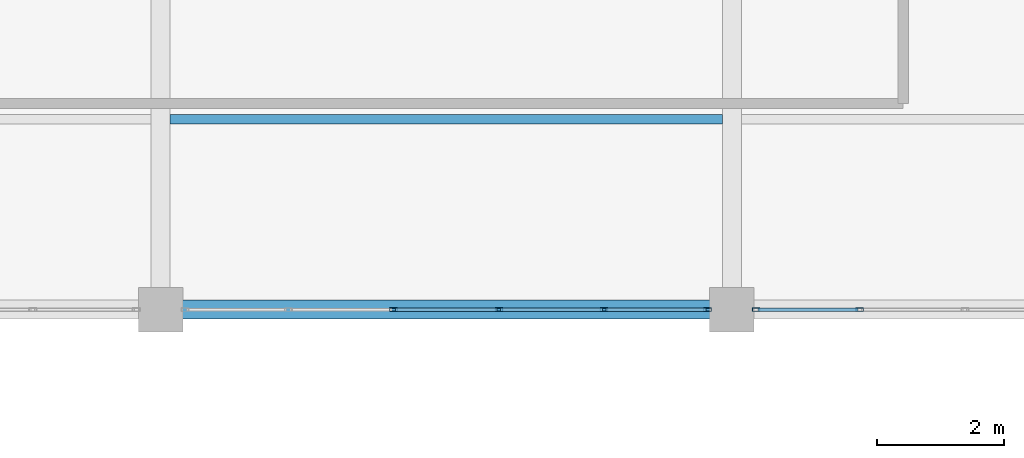
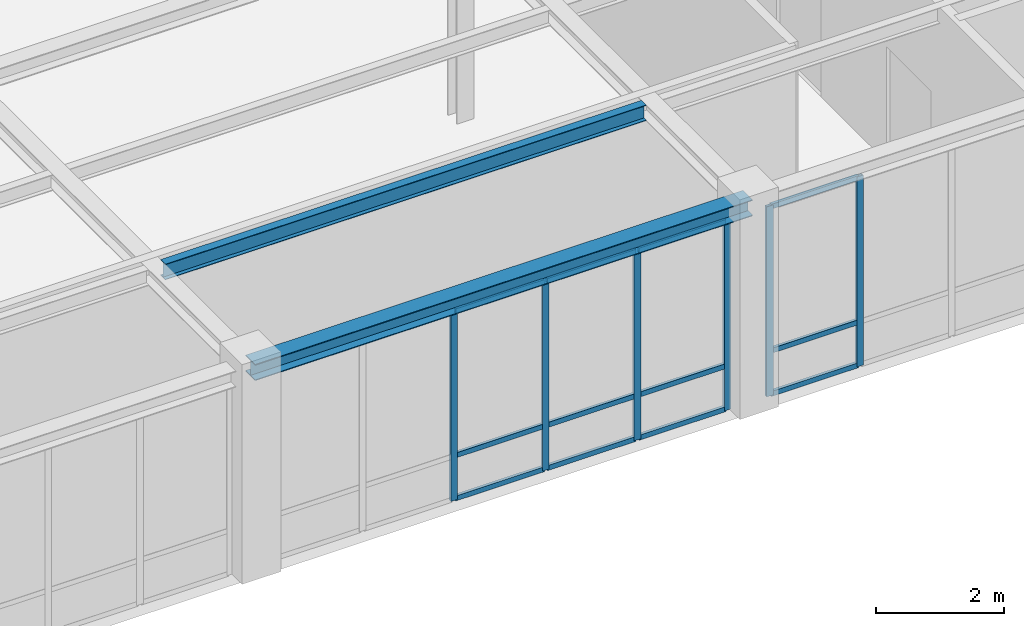
# One storey, part 69 of 108: 18 members, 2 beams, 2 elements without a shape of their own.
"""IFC4 building model written with IfcOpenShell, lengths in metres."""

from ifc_helpers import new_model, si_unit, direction, frame, origin, origin_2d, place, context, subcontext, project, spatial, hollow_rectangle, i_section, extrude, material, material_profile, profile_set, type_object, element, aggregate, save


model = new_model("IFC4")

# Units and contexts
model_context = context("Model", 3, precision=1e-05, world=origin(), true_north=direction((0.0, 1.0)))
body_context = subcontext(model_context, "Body", "Model", "MODEL_VIEW")
ifc_project = project(units=[si_unit("LENGTHUNIT", "METRE"), si_unit("AREAUNIT", "SQUARE_METRE"), si_unit("VOLUMEUNIT", "CUBIC_METRE"), si_unit("PLANEANGLEUNIT", "RADIAN"), si_unit("MASSUNIT", "GRAM", prefix="KILO")], contexts=[model_context])

# Site, building, storey
site_placement = place(None, origin())
site = spatial("IfcSite", under=ifc_project, at=site_placement, CompositionType="ELEMENT")
building_placement = place(site_placement, origin())
building = spatial("IfcBuilding", under=site, at=building_placement, Name="Lykobir Media Centre", CompositionType="ELEMENT")
storey_placement = place(building_placement, frame((0.0, 0.0, 15.0)))
storey = spatial("IfcBuildingStorey", under=building, at=storey_placement, Name="L03", CompositionType="ELEMENT", Elevation=15.0)

# Curtain wall, members
ifc_material_1 = material(Name="Anodized Aluminium AW-6060", Category="aluminium")
curtain_wall_type = type_object("IfcCurtainWallType", Name="CW-COURT-B", PredefinedType="NOTDEFINED", material=ifc_material_1)
curtain_wall_1_placement = place(storey_placement, origin())
curtain_wall_1 = element("IfcCurtainWall", 1, at=curtain_wall_1_placement, inside=storey, type_object=curtain_wall_type, Name="Curtain wall CW2-L03-0147", PredefinedType="NOTDEFINED")
ifc_material_profile_1 = material_profile(ifc_material_1, hollow_rectangle(XDim=0.054931640625, YDim=0.1201171875, WallThickness=0.003173828125, at=origin_2d()), Name="ALU MULLION 55x120")
ifc_profile_set_1 = profile_set([ifc_material_profile_1], Name="Anodized Aluminium AW-6060")
member_type_1 = type_object("IfcMemberType", Name="CWM-120", PredefinedType="MULLION", material=ifc_profile_set_1)
member_1_placement = place(storey_placement, frame((116.617431640625, 72.0, 0.0), z_axis=(0.0, 0.0, 1.0), x_axis=(0.0, -1.0, 0.0)))
member_1 = element("IfcMember", 2, at=member_1_placement, type_object=member_type_1, Name="CW2-L03-0147 mullion 1", PredefinedType="MULLION", context=body_context, shape_type="SweptSolid", body=[
    extrude(hollow_rectangle(XDim=0.054931640625, YDim=0.1201171875, WallThickness=0.003173828125, at=origin_2d()), origin(), (0.0, 0.0, 1.0), 3.635009765625),
])
member_2_placement = place(storey_placement, frame((114.987060546875, 72.0, 0.0), z_axis=(0.0, 0.0, 1.0), x_axis=(0.0, -1.0, 0.0)))
member_2 = element("IfcMember", 3, at=member_2_placement, type_object=member_type_1, Name="CW2-L03-0147 mullion 2", PredefinedType="MULLION", context=body_context, shape_type="SweptSolid", body=[
    extrude(hollow_rectangle(XDim=0.054931640625, YDim=0.1201171875, WallThickness=0.003173828125, at=origin_2d()), origin(), (0.0, 0.0, 1.0), 3.635009765625),
])
member_3_placement = place(storey_placement, frame((113.3291015625, 72.0, 0.0), z_axis=(0.0, 0.0, 1.0), x_axis=(0.0, -1.0, 0.0)))
member_3 = element("IfcMember", 4, at=member_3_placement, type_object=member_type_1, Name="CW2-L03-0147 mullion 3", PredefinedType="MULLION", context=body_context, shape_type="SweptSolid", body=[
    extrude(hollow_rectangle(XDim=0.054931640625, YDim=0.1201171875, WallThickness=0.003173828125, at=origin_2d()), origin(), (0.0, 0.0, 1.0), 3.635009765625),
])
member_4_placement = place(storey_placement, frame((111.6708984375, 72.0, 0.0), z_axis=(0.0, 0.0, 1.0), x_axis=(0.0, -1.0, 0.0)))
member_4 = element("IfcMember", 5, at=member_4_placement, type_object=member_type_1, Name="CW2-L03-0147 mullion 4", PredefinedType="MULLION", context=body_context, shape_type="SweptSolid", body=[
    extrude(hollow_rectangle(XDim=0.054931640625, YDim=0.1201171875, WallThickness=0.003173828125, at=origin_2d()), origin(), (0.0, 0.0, 1.0), 3.635009765625),
])

curtain_wall_2_placement = place(storey_placement, origin())
curtain_wall_2 = element("IfcCurtainWall", 6, at=curtain_wall_2_placement, inside=storey, type_object=curtain_wall_type, Name="Curtain wall CW2-L03-0148", PredefinedType="NOTDEFINED")
member_5_placement = place(storey_placement, frame((119.012939453125, 72.0, 0.0), z_axis=(0.0, 0.0, 1.0), x_axis=(0.0, -1.0, 0.0)))
member_5 = element("IfcMember", 7, at=member_5_placement, type_object=member_type_1, Name="CW2-L03-0148 mullion 5", PredefinedType="MULLION", context=body_context, shape_type="SweptSolid", body=[
    extrude(hollow_rectangle(XDim=0.054931640625, YDim=0.1201171875, WallThickness=0.003173828125, at=origin_2d()), origin(), (0.0, 0.0, 1.0), 3.635009765625),
])
member_6_placement = place(storey_placement, frame((117.382568359375, 72.0, 0.0), z_axis=(0.0, 0.0, 1.0), x_axis=(0.0, -1.0, 0.0)))
member_6 = element("IfcMember", 8, at=member_6_placement, type_object=member_type_1, Name="CW2-L03-0148 mullion 6", PredefinedType="MULLION", context=body_context, shape_type="SweptSolid", body=[
    extrude(hollow_rectangle(XDim=0.054931640625, YDim=0.1201171875, WallThickness=0.003173828125, at=origin_2d()), origin(), (0.0, 0.0, 1.0), 3.635009765625),
])

# Member
ifc_material_profile_2 = material_profile(ifc_material_1, hollow_rectangle(XDim=0.054931640625, YDim=0.094970703125, WallThickness=0.0029296875, at=origin_2d()), Name="ALU TRANSOM 55x95")
ifc_profile_set_2 = profile_set([ifc_material_profile_2], Name="Anodized Aluminium AW-6060")
member_type_2 = type_object("IfcMemberType", Name="CWT-095", PredefinedType="USERDEFINED", material=ifc_profile_set_2)
member_7_placement = place(storey_placement, frame((116.590087890625, 72.0, 0.027587890625), z_axis=(-1.0, 0.0, 0.0), x_axis=(0.0, -1.0, 0.0)))
member_7 = element("IfcMember", 9, at=member_7_placement, type_object=member_type_2, Name="CW2-L03-0147 transom 1.1", ObjectType="TRANSOM", PredefinedType="USERDEFINED", context=body_context, shape_type="SweptSolid", body=[
    extrude(hollow_rectangle(XDim=0.054931640625, YDim=0.094970703125, WallThickness=0.0029296875, at=origin_2d()), origin(), (0.0, 0.0, 1.0), 1.57568359375),
])

member_8_placement = place(storey_placement, frame((116.590087890625, 72.0, 0.85009765625), z_axis=(-1.0, 0.0, 0.0), x_axis=(0.0, -1.0, 0.0)))
member_8 = element("IfcMember", 10, at=member_8_placement, type_object=member_type_2, Name="CW2-L03-0147 transom 1.2", ObjectType="TRANSOM", PredefinedType="USERDEFINED", context=body_context, shape_type="SweptSolid", body=[
    extrude(hollow_rectangle(XDim=0.054931640625, YDim=0.094970703125, WallThickness=0.0029296875, at=origin_2d()), origin(), (0.0, 0.0, 1.0), 1.57568359375),
])

member_9_placement = place(storey_placement, frame((116.590087890625, 72.0, 3.607421875), z_axis=(-1.0, 0.0, 0.0), x_axis=(0.0, -1.0, 0.0)))
member_9 = element("IfcMember", 11, at=member_9_placement, type_object=member_type_2, Name="CW2-L03-0147 transom 1.3", ObjectType="TRANSOM", PredefinedType="USERDEFINED", context=body_context, shape_type="SweptSolid", body=[
    extrude(hollow_rectangle(XDim=0.054931640625, YDim=0.094970703125, WallThickness=0.0029296875, at=origin_2d()), origin(), (0.0, 0.0, 1.0), 1.57568359375),
])

member_10_placement = place(storey_placement, frame((114.95947265625, 72.0, 0.027587890625), z_axis=(-1.0, 0.0, 0.0), x_axis=(0.0, -1.0, 0.0)))
member_10 = element("IfcMember", 12, at=member_10_placement, type_object=member_type_2, Name="CW2-L03-0147 transom 2.1", ObjectType="TRANSOM", PredefinedType="USERDEFINED", context=body_context, shape_type="SweptSolid", body=[
    extrude(hollow_rectangle(XDim=0.054931640625, YDim=0.094970703125, WallThickness=0.0029296875, at=origin_2d()), origin(), (0.0, 0.0, 1.0), 1.60302734375),
])

member_11_placement = place(storey_placement, frame((114.95947265625, 72.0, 0.85009765625), z_axis=(-1.0, 0.0, 0.0), x_axis=(0.0, -1.0, 0.0)))
member_11 = element("IfcMember", 13, at=member_11_placement, type_object=member_type_2, Name="CW2-L03-0147 transom 2.2", ObjectType="TRANSOM", PredefinedType="USERDEFINED", context=body_context, shape_type="SweptSolid", body=[
    extrude(hollow_rectangle(XDim=0.054931640625, YDim=0.094970703125, WallThickness=0.0029296875, at=origin_2d()), origin(), (0.0, 0.0, 1.0), 1.60302734375),
])

member_12_placement = place(storey_placement, frame((114.95947265625, 72.0, 3.607421875), z_axis=(-1.0, 0.0, 0.0), x_axis=(0.0, -1.0, 0.0)))
member_12 = element("IfcMember", 14, at=member_12_placement, type_object=member_type_2, Name="CW2-L03-0147 transom 2.3", ObjectType="TRANSOM", PredefinedType="USERDEFINED", context=body_context, shape_type="SweptSolid", body=[
    extrude(hollow_rectangle(XDim=0.054931640625, YDim=0.094970703125, WallThickness=0.0029296875, at=origin_2d()), origin(), (0.0, 0.0, 1.0), 1.60302734375),
])

member_13_placement = place(storey_placement, frame((113.301513671875, 72.0, 0.027587890625), z_axis=(-1.0, 0.0, 0.0), x_axis=(0.0, -1.0, 0.0)))
member_13 = element("IfcMember", 15, at=member_13_placement, type_object=member_type_2, Name="CW2-L03-0147 transom 3.1", ObjectType="TRANSOM", PredefinedType="USERDEFINED", context=body_context, shape_type="SweptSolid", body=[
    extrude(hollow_rectangle(XDim=0.054931640625, YDim=0.094970703125, WallThickness=0.0029296875, at=origin_2d()), origin(), (0.0, 0.0, 1.0), 1.60302734375),
])

member_14_placement = place(storey_placement, frame((113.301513671875, 72.0, 0.85009765625), z_axis=(-1.0, 0.0, 0.0), x_axis=(0.0, -1.0, 0.0)))
member_14 = element("IfcMember", 16, at=member_14_placement, type_object=member_type_2, Name="CW2-L03-0147 transom 3.2", ObjectType="TRANSOM", PredefinedType="USERDEFINED", context=body_context, shape_type="SweptSolid", body=[
    extrude(hollow_rectangle(XDim=0.054931640625, YDim=0.094970703125, WallThickness=0.0029296875, at=origin_2d()), origin(), (0.0, 0.0, 1.0), 1.60302734375),
])

member_15_placement = place(storey_placement, frame((113.301513671875, 72.0, 3.607421875), z_axis=(-1.0, 0.0, 0.0), x_axis=(0.0, -1.0, 0.0)))
member_15 = element("IfcMember", 17, at=member_15_placement, type_object=member_type_2, Name="CW2-L03-0147 transom 3.3", ObjectType="TRANSOM", PredefinedType="USERDEFINED", context=body_context, shape_type="SweptSolid", body=[
    extrude(hollow_rectangle(XDim=0.054931640625, YDim=0.094970703125, WallThickness=0.0029296875, at=origin_2d()), origin(), (0.0, 0.0, 1.0), 1.60302734375),
])

aggregate(curtain_wall_1, [member_1, member_2, member_3, member_4, member_7, member_8, member_9, member_10, member_11, member_12, member_13, member_14, member_15])

member_16_placement = place(storey_placement, frame((118.985595703125, 72.0, 0.027587890625), z_axis=(-1.0, 0.0, 0.0), x_axis=(0.0, -1.0, 0.0)))
member_16 = element("IfcMember", 18, at=member_16_placement, type_object=member_type_2, Name="CW2-L03-0148 transom 5.1", ObjectType="TRANSOM", PredefinedType="USERDEFINED", context=body_context, shape_type="SweptSolid", body=[
    extrude(hollow_rectangle(XDim=0.054931640625, YDim=0.094970703125, WallThickness=0.0029296875, at=origin_2d()), origin(), (0.0, 0.0, 1.0), 1.57568359375),
])

member_17_placement = place(storey_placement, frame((118.985595703125, 72.0, 0.85009765625), z_axis=(-1.0, 0.0, 0.0), x_axis=(0.0, -1.0, 0.0)))
member_17 = element("IfcMember", 19, at=member_17_placement, type_object=member_type_2, Name="CW2-L03-0148 transom 5.2", ObjectType="TRANSOM", PredefinedType="USERDEFINED", context=body_context, shape_type="SweptSolid", body=[
    extrude(hollow_rectangle(XDim=0.054931640625, YDim=0.094970703125, WallThickness=0.0029296875, at=origin_2d()), origin(), (0.0, 0.0, 1.0), 1.57568359375),
])

member_18_placement = place(storey_placement, frame((118.985595703125, 72.0, 3.607421875), z_axis=(-1.0, 0.0, 0.0), x_axis=(0.0, -1.0, 0.0)))
member_18 = element("IfcMember", 20, at=member_18_placement, type_object=member_type_2, Name="CW2-L03-0148 transom 5.3", ObjectType="TRANSOM", PredefinedType="USERDEFINED", context=body_context, shape_type="SweptSolid", body=[
    extrude(hollow_rectangle(XDim=0.054931640625, YDim=0.094970703125, WallThickness=0.0029296875, at=origin_2d()), origin(), (0.0, 0.0, 1.0), 1.57568359375),
])

aggregate(curtain_wall_2, [member_5, member_6, member_16, member_17, member_18])

# Beams
ifc_material_2 = material(Name="Steel S355", Category="steel")
ifc_material_profile_3 = material_profile(ifc_material_2, i_section(OverallWidth=0.14990234375, OverallDepth=0.300048828125, WebThickness=0.007080078125, FlangeThickness=0.0107421875, at=origin_2d()), Name="IPE 300")
ifc_profile_set_3 = profile_set([ifc_material_profile_3], Name="Steel S355")
beam_type_1 = type_object("IfcBeamType", Name="JS-IPE300", PredefinedType="JOIST", material=ifc_profile_set_3)
beam_1_placement = place(storey_placement, frame((108.14990234375, 75.0, 3.81005859375), z_axis=(1.0, 0.0, 0.0), x_axis=(0.0, 1.0, 0.0)))
element("IfcBeam", 21, at=beam_1_placement, inside=storey, type_object=beam_type_1, Name="Beam BM-L03-1082-0750-1168-0750-1881", PredefinedType="JOIST", context=body_context, shape_type="SweptSolid", body=[
    extrude(i_section(OverallWidth=0.14990234375, OverallDepth=0.300048828125, WebThickness=0.007080078125, FlangeThickness=0.0107421875, at=origin_2d()), origin(), (0.0, 0.0, 1.0), 8.7001953125),
])
ifc_material_profile_4 = material_profile(ifc_material_2, i_section(OverallWidth=0.300048828125, OverallDepth=0.31005859375, WebThickness=0.009033203125, FlangeThickness=0.015380859375, at=origin_2d()), Name="HEA 320")
ifc_profile_set_4 = profile_set([ifc_material_profile_4], Name="Steel S355")
beam_type_2 = type_object("IfcBeamType", Name="SP-HEA320", PredefinedType="SPANDREL", material=ifc_profile_set_4)
beam_2_placement = place(storey_placement, frame((108.0, 72.0, 3.804931640625), z_axis=(1.0, 0.0, 0.0), x_axis=(0.0, 1.0, 0.0)))
element("IfcBeam", 22, at=beam_2_placement, inside=storey, type_object=beam_type_2, Name="Beam BM-L03-1080-0720-1170-0720-1880", PredefinedType="SPANDREL", context=body_context, shape_type="SweptSolid", body=[
    extrude(i_section(OverallWidth=0.300048828125, OverallDepth=0.31005859375, WebThickness=0.009033203125, FlangeThickness=0.015380859375, at=origin_2d()), origin(), (0.0, 0.0, 1.0), 9.0),
])

save(model, "model.ifc")
